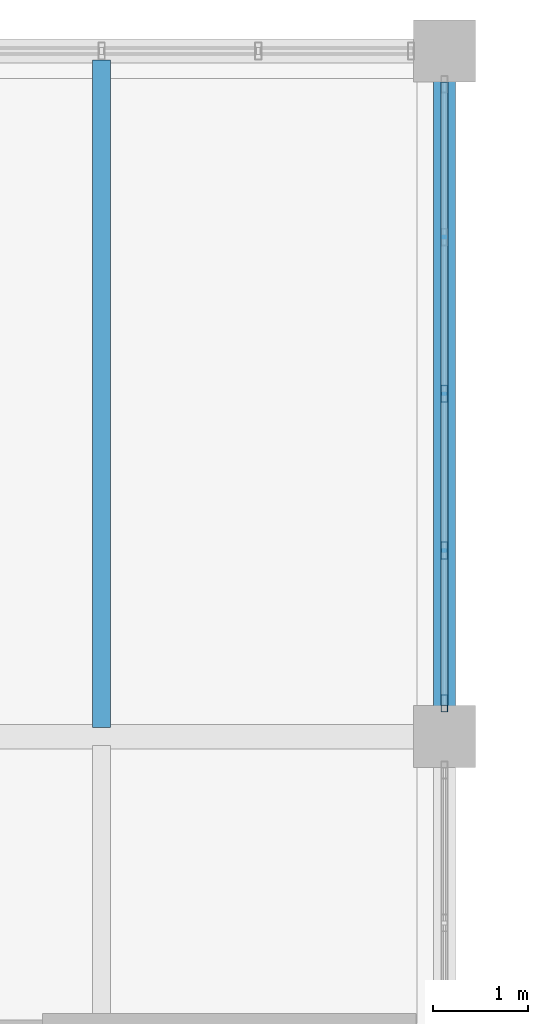
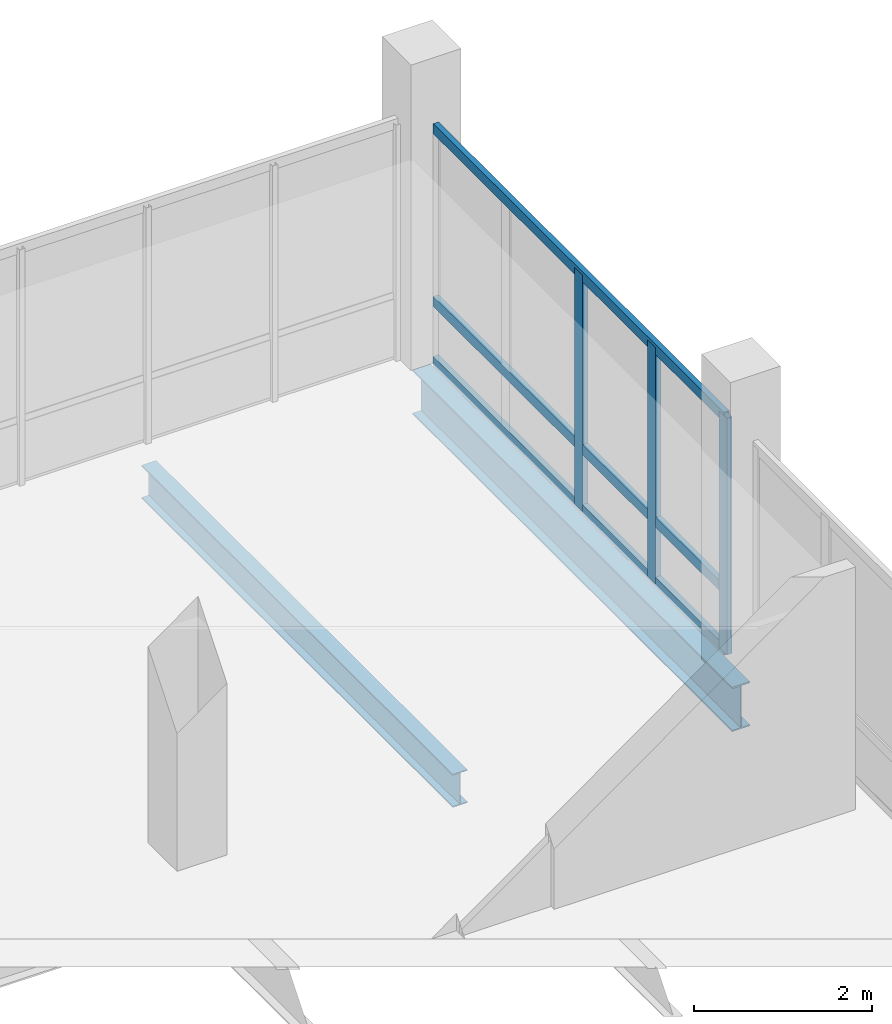
# One storey, part 88 of 144: 6 members, 2 beams, 1 element without a shape of its own.
"""IFC4 building model written with IfcOpenShell, lengths in metres."""

from ifc_helpers import new_model, si_unit, direction, frame, origin, origin_2d, place, context, subcontext, project, spatial, hollow_rectangle, i_section, extrude, material, material_profile, profile_set, type_object, element, aggregate, save


model = new_model("IFC4")

# Units and contexts
model_context = context("Model", 3, precision=1e-05, world=origin(), true_north=direction((0.0, 1.0)))
body_context = subcontext(model_context, "Body", "Model", "MODEL_VIEW")
ifc_project = project(units=[si_unit("LENGTHUNIT", "METRE"), si_unit("AREAUNIT", "SQUARE_METRE"), si_unit("VOLUMEUNIT", "CUBIC_METRE"), si_unit("PLANEANGLEUNIT", "RADIAN"), si_unit("MASSUNIT", "GRAM", prefix="KILO")], contexts=[model_context])

# Site, building, storey
site_placement = place(None, origin())
site = spatial("IfcSite", under=ifc_project, at=site_placement, CompositionType="ELEMENT")
building_placement = place(site_placement, origin())
building = spatial("IfcBuilding", under=site, at=building_placement, Name="Yarey Park Central Fire Station", CompositionType="ELEMENT")
storey_placement = place(building_placement, frame((0.0, 0.0, 10.199951171875)))
storey = spatial("IfcBuildingStorey", under=building, at=storey_placement, Name="L03", CompositionType="ELEMENT", Elevation=10.199951171875)

# Curtain wall, members
ifc_material_1 = material(Name="Anodized Aluminium Frame", Category="aluminium")
curtain_wall_type = type_object("IfcCurtainWallType", Name="ENV_CW_HQ_L03", PredefinedType="NOTDEFINED", material=ifc_material_1)
curtain_wall_placement = place(storey_placement, origin())
curtain_wall = element("IfcCurtainWall", 1, at=curtain_wall_placement, inside=storey, type_object=curtain_wall_type, Name="CW_L03_V4_E_108", PredefinedType="NOTDEFINED")
ifc_material_profile_1 = material_profile(ifc_material_1, hollow_rectangle(XDim=0.070068359375, YDim=0.179931640625, WallThickness=0.00390625, at=origin_2d()), Name="ALU 180x70x4")
ifc_profile_set_1 = profile_set([ifc_material_profile_1], Name="Anodized Aluminium Frame")
member_type_1 = type_object("IfcMemberType", Name="ENV_CW_MULLION", PredefinedType="MULLION", material=ifc_profile_set_1)
member_1_placement = place(storey_placement, frame((158.39990234375, 108.35009765625, 0.0), z_axis=(0.0, 0.0, 1.0), x_axis=(1.0, 0.0, 0.0)))
member_1 = element("IfcMember", 2, at=member_1_placement, type_object=member_type_1, Name="CW_L03_V4_E_108_MUL1", PredefinedType="MULLION", context=body_context, shape_type="SweptSolid", body=[
    extrude(hollow_rectangle(XDim=0.070068359375, YDim=0.179931640625, WallThickness=0.00390625, at=origin_2d()), origin(), (0.0, 0.0, 1.0), 3.25),
])
member_2_placement = place(storey_placement, frame((158.39990234375, 109.955078125, 0.0), z_axis=(0.0, 0.0, 1.0), x_axis=(1.0, 0.0, 0.0)))
member_2 = element("IfcMember", 3, at=member_2_placement, type_object=member_type_1, Name="CW_L03_V4_E_108_MUL2", PredefinedType="MULLION", context=body_context, shape_type="SweptSolid", body=[
    extrude(hollow_rectangle(XDim=0.070068359375, YDim=0.179931640625, WallThickness=0.00390625, at=origin_2d()), origin(), (0.0, 0.0, 1.0), 3.25),
])
member_3_placement = place(storey_placement, frame((158.39990234375, 111.60009765625, 0.0), z_axis=(0.0, 0.0, 1.0), x_axis=(1.0, 0.0, 0.0)))
member_3 = element("IfcMember", 4, at=member_3_placement, type_object=member_type_1, Name="CW_L03_V4_E_108_MUL3", PredefinedType="MULLION", context=body_context, shape_type="SweptSolid", body=[
    extrude(hollow_rectangle(XDim=0.070068359375, YDim=0.179931640625, WallThickness=0.00390625, at=origin_2d()), origin(), (0.0, 0.0, 1.0), 3.25),
])
ifc_material_profile_2 = material_profile(ifc_material_1, hollow_rectangle(XDim=0.070068359375, YDim=0.139892578125, WallThickness=0.00390625, at=origin_2d()), Name="ALU 140x70x4")
ifc_profile_set_2 = profile_set([ifc_material_profile_2], Name="Anodized Aluminium Frame")
member_type_2 = type_object("IfcMemberType", Name="ENV_CW_TRANSOM", PredefinedType="USERDEFINED", material=ifc_profile_set_2)
member_4_placement = place(storey_placement, frame((158.39990234375, 108.324951171875, 0.025146484375), z_axis=(0.0, 1.0, 0.0), x_axis=(-1.0, 0.0, 0.0)))
member_4 = element("IfcMember", 5, at=member_4_placement, type_object=member_type_2, Name="CW_L03_V4_E_108_TRN1", ObjectType="TRANSOM", PredefinedType="USERDEFINED", context=body_context, shape_type="SweptSolid", body=[
    extrude(hollow_rectangle(XDim=0.070068359375, YDim=0.139892578125, WallThickness=0.00390625, at=origin_2d()), origin(), (0.0, 0.0, 1.0), 6.550048828125),
])
member_5_placement = place(storey_placement, frame((158.39990234375, 108.324951171875, 0.85009765625), z_axis=(0.0, 1.0, 0.0), x_axis=(-1.0, 0.0, 0.0)))
member_5 = element("IfcMember", 6, at=member_5_placement, type_object=member_type_2, Name="CW_L03_V4_E_108_TRN2", ObjectType="TRANSOM", PredefinedType="USERDEFINED", context=body_context, shape_type="SweptSolid", body=[
    extrude(hollow_rectangle(XDim=0.070068359375, YDim=0.139892578125, WallThickness=0.00390625, at=origin_2d()), origin(), (0.0, 0.0, 1.0), 6.550048828125),
])
member_6_placement = place(storey_placement, frame((158.39990234375, 108.324951171875, 3.22509765625), z_axis=(0.0, 1.0, 0.0), x_axis=(-1.0, 0.0, 0.0)))
member_6 = element("IfcMember", 7, at=member_6_placement, type_object=member_type_2, Name="CW_L03_V4_E_108_TRN3", ObjectType="TRANSOM", PredefinedType="USERDEFINED", context=body_context, shape_type="SweptSolid", body=[
    extrude(hollow_rectangle(XDim=0.070068359375, YDim=0.139892578125, WallThickness=0.00390625, at=origin_2d()), origin(), (0.0, 0.0, 1.0), 6.550048828125),
])
aggregate(curtain_wall, [member_1, member_2, member_3, member_4, member_5, member_6])

# Beams
ifc_material_2 = material(Name="Steel ASTM A992 Gr. 50", Category="steel")
ifc_material_profile_3 = material_profile(ifc_material_2, i_section(OverallWidth=0.22900390625, OverallDepth=0.612060546875, WebThickness=0.011962890625, FlangeThickness=0.01953125, at=origin_2d()), Name="W610x125")
ifc_profile_set_3 = profile_set([ifc_material_profile_3], Name="Steel ASTM A992 Gr. 50")
beam_type_1 = type_object("IfcBeamType", Name="STR_BM_W610", PredefinedType="BEAM", material=ifc_profile_set_3)
beam_1_placement = place(storey_placement, frame((158.39990234375, 108.0, -0.56591796875), z_axis=(0.0, 1.0, 0.0), x_axis=(-1.0, 0.0, 0.0)))
element("IfcBeam", 8, at=beam_1_placement, inside=storey, type_object=beam_type_1, Name="BMY L03 X1584 Y1080", PredefinedType="BEAM", context=body_context, shape_type="SweptSolid", body=[
    extrude(i_section(OverallWidth=0.22900390625, OverallDepth=0.612060546875, WebThickness=0.011962890625, FlangeThickness=0.01953125, at=origin_2d()), origin(), (0.0, 0.0, 1.0), 7.199951171875),
])
ifc_material_profile_4 = material_profile(ifc_material_2, i_section(OverallWidth=0.18994140625, OverallDepth=0.45703125, WebThickness=0.009033203125, FlangeThickness=0.014404296875, at=origin_2d()), Name="W460x74")
ifc_profile_set_4 = profile_set([ifc_material_profile_4], Name="Steel ASTM A992 Gr. 50")
beam_type_2 = type_object("IfcBeamType", Name="STR_JST_W460", PredefinedType="JOIST", material=ifc_profile_set_4)
beam_2_placement = place(storey_placement, frame((154.800048828125, 108.094970703125, -0.488525390625), z_axis=(0.0, 1.0, 0.0), x_axis=(-1.0, 0.0, 0.0)))
element("IfcBeam", 9, at=beam_2_placement, inside=storey, type_object=beam_type_2, Name="JST L03 X1548 Y1080", PredefinedType="JOIST", context=body_context, shape_type="SweptSolid", body=[
    extrude(i_section(OverallWidth=0.18994140625, OverallDepth=0.45703125, WebThickness=0.009033203125, FlangeThickness=0.014404296875, at=origin_2d()), origin(), (0.0, 0.0, 1.0), 7.010009765625),
])

save(model, "model.ifc")
